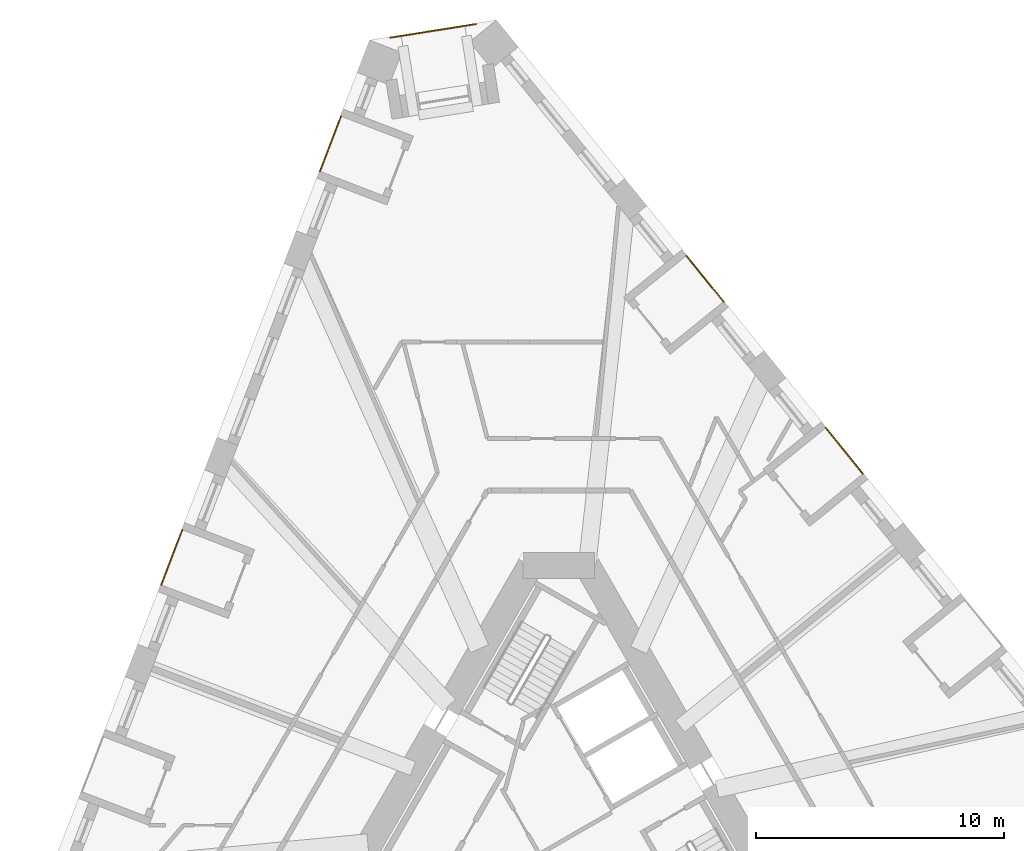
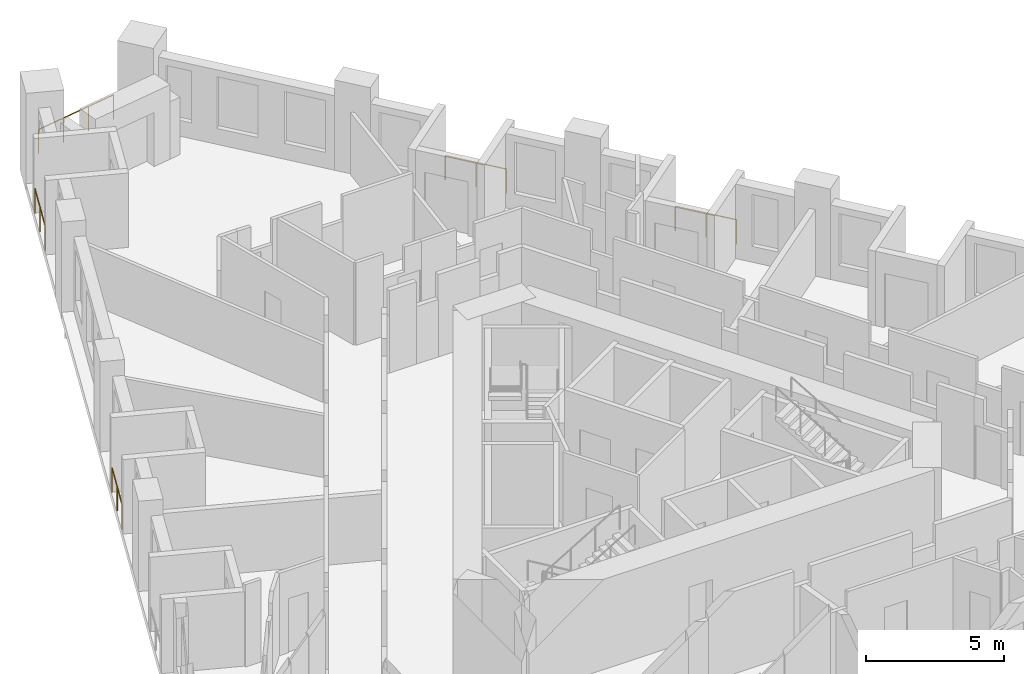
# One storey, part 13 of 13: 5 railings.
"""IFC4 building model written with IfcOpenShell, lengths in metres."""

from ifc_helpers import new_model, si_unit, direction, frame, origin, origin_2d, place, context, subcontext, project, spatial, circle, extrude, material, type_object, element, save


model = new_model("IFC4")

# Units and contexts
model_context = context("Model", 3, precision=1e-05, world=origin(), true_north=direction((0.0, 1.0)))
body_context = subcontext(model_context, "Body", "Model", "MODEL_VIEW")
ifc_project = project(units=[si_unit("LENGTHUNIT", "METRE"), si_unit("AREAUNIT", "SQUARE_METRE"), si_unit("VOLUMEUNIT", "CUBIC_METRE"), si_unit("PLANEANGLEUNIT", "RADIAN"), si_unit("MASSUNIT", "GRAM", prefix="KILO")], contexts=[model_context])

# Site, building, storey
site_placement = place(None, origin())
site = spatial("IfcSite", under=ifc_project, at=site_placement, CompositionType="ELEMENT")
building_placement = place(site_placement, origin())
building = spatial("IfcBuilding", under=site, at=building_placement, Name="Tramontana Tower", CompositionType="ELEMENT")
storey_placement = place(building_placement, frame((0.0, 0.0, 51.199951171875)))
storey = spatial("IfcBuildingStorey", under=building, at=storey_placement, Name="L10", CompositionType="ELEMENT", Elevation=51.199951171875)

# Railings
ifc_material = material(Name="Laminated glass balustrade", Category="glass")
railing_type = type_object("IfcRailingType", Name="GD1 Loggia glass balustrade 1100", PredefinedType="BALUSTRADE", material=ifc_material)
railing_1_placement = place(storey_placement, frame((-8.798828125, 28.61767578125, 0.0)))
element("IfcRailing", 1, at=railing_1_placement, inside=storey, type_object=railing_type, Name="Loggia balustrade L10 G1S0.1", PredefinedType="BALUSTRADE", context=body_context, shape_type="SweptSolid", body=[
    extrude(circle(Radius=0.02392578125, at=origin_2d()), frame((0.0, 0.0, 1.076171875), z_axis=(-0.35829926872, -0.933606787697, 0.0), x_axis=(0.933606787697, -0.35829926872, 0.0)), (0.0, 0.0, 1.0), 2.3828125),
    extrude(circle(Radius=0.02099609375, at=origin_2d()), origin(), (0.0, 0.0, 1.0), 1.052001953125),
    extrude(circle(Radius=0.02099609375, at=origin_2d()), frame((-0.4267578125, -1.1123046875, 0.0)), (0.0, 0.0, 1.0), 1.052001953125),
    extrude(circle(Radius=0.02099609375, at=origin_2d()), frame((-0.853759765625, -2.224609375, 0.0)), (0.0, 0.0, 1.0), 1.052001953125),
])
railing_2_placement = place(storey_placement, frame((-15.212646484375, 11.90869140625, 0.0)))
element("IfcRailing", 2, at=railing_2_placement, inside=storey, type_object=railing_type, Name="Loggia balustrade L10 G1S0.7", PredefinedType="BALUSTRADE", context=body_context, shape_type="SweptSolid", body=[
    extrude(circle(Radius=0.02392578125, at=origin_2d()), frame((0.0, 0.0, 1.076171875), z_axis=(-0.35838856932, -0.933572511046, 0.0), x_axis=(0.933572511046, -0.35838856932, 0.0)), (0.0, 0.0, 1.0), 2.3828125),
    extrude(circle(Radius=0.02099609375, at=origin_2d()), origin(), (0.0, 0.0, 1.0), 1.052001953125),
    extrude(circle(Radius=0.02099609375, at=origin_2d()), frame((-0.427001953125, -1.1123046875, 0.0)), (0.0, 0.0, 1.0), 1.052001953125),
    extrude(circle(Radius=0.02099609375, at=origin_2d()), frame((-0.85400390625, -2.224609375, 0.0)), (0.0, 0.0, 1.0), 1.052001953125),
])
railing_3_placement = place(storey_placement, frame((12.287841796875, 14.1748046875, 0.0)))
element("IfcRailing", 3, at=railing_3_placement, inside=storey, type_object=railing_type, Name="Loggia balustrade L10 G1S2.10", PredefinedType="BALUSTRADE", context=body_context, shape_type="SweptSolid", body=[
    extrude(circle(Radius=0.02392578125, at=origin_2d()), frame((0.0, 0.0, 1.076171875), z_axis=(-0.629319049918, 0.777147047482, 0.0), x_axis=(-0.777147047482, -0.629319049918, 0.0)), (0.0, 0.0, 1.0), 2.383056640625),
    extrude(circle(Radius=0.02099609375, at=origin_2d()), origin(), (0.0, 0.0, 1.0), 1.052001953125),
    extrude(circle(Radius=0.02099609375, at=origin_2d()), frame((-0.75, 0.926025390625, 0.0)), (0.0, 0.0, 1.0), 1.052001953125),
    extrude(circle(Radius=0.02099609375, at=origin_2d()), frame((-1.499755859375, 1.85205078125, 0.0)), (0.0, 0.0, 1.0), 1.052001953125),
])
railing_4_placement = place(storey_placement, frame((6.656005859375, 21.129638671875, 0.0)))
element("IfcRailing", 4, at=railing_4_placement, inside=storey, type_object=railing_type, Name="Loggia balustrade L10 G1S2.13", PredefinedType="BALUSTRADE", context=body_context, shape_type="SweptSolid", body=[
    extrude(circle(Radius=0.02392578125, at=origin_2d()), frame((0.0, 0.0, 1.076171875), z_axis=(-0.62930727886, 0.777156579316, 0.0), x_axis=(-0.777156579316, -0.62930727886, 0.0)), (0.0, 0.0, 1.0), 2.3828125),
    extrude(circle(Radius=0.02099609375, at=origin_2d()), origin(), (0.0, 0.0, 1.0), 1.052001953125),
    extrude(circle(Radius=0.02099609375, at=origin_2d()), frame((-0.749755859375, 0.92578125, 0.0)), (0.0, 0.0, 1.0), 1.052001953125),
    extrude(circle(Radius=0.02099609375, at=origin_2d()), frame((-1.49951171875, 1.851806640625, 0.0)), (0.0, 0.0, 1.0), 1.052001953125),
])
railing_5_placement = place(storey_placement, frame((-6.807861328125, 31.79638671875, 0.0)))
element("IfcRailing", 5, at=railing_5_placement, inside=storey, type_object=railing_type, Name="Corner loggia balustrade L10 K10", PredefinedType="BALUSTRADE", context=body_context, shape_type="SweptSolid", body=[
    extrude(circle(Radius=0.02392578125, at=origin_2d()), frame((0.0, 0.0, 1.076171875), z_axis=(0.987683654859, 0.156464046744, 0.0), x_axis=(-0.156464046744, 0.987683654859, 0.0)), (0.0, 0.0, 1.0), 3.5),
    extrude(circle(Radius=0.02099609375, at=origin_2d()), origin(), (0.0, 0.0, 1.0), 1.052001953125),
    extrude(circle(Radius=0.02099609375, at=origin_2d()), frame((1.15234375, 0.1826171875, 0.0)), (0.0, 0.0, 1.0), 1.052001953125),
    extrude(circle(Radius=0.02099609375, at=origin_2d()), frame((2.304443359375, 0.364990234375, 0.0)), (0.0, 0.0, 1.0), 1.052001953125),
    extrude(circle(Radius=0.02099609375, at=origin_2d()), frame((3.456787109375, 0.547607421875, 0.0)), (0.0, 0.0, 1.0), 1.052001953125),
])

save(model, "model.ifc")
